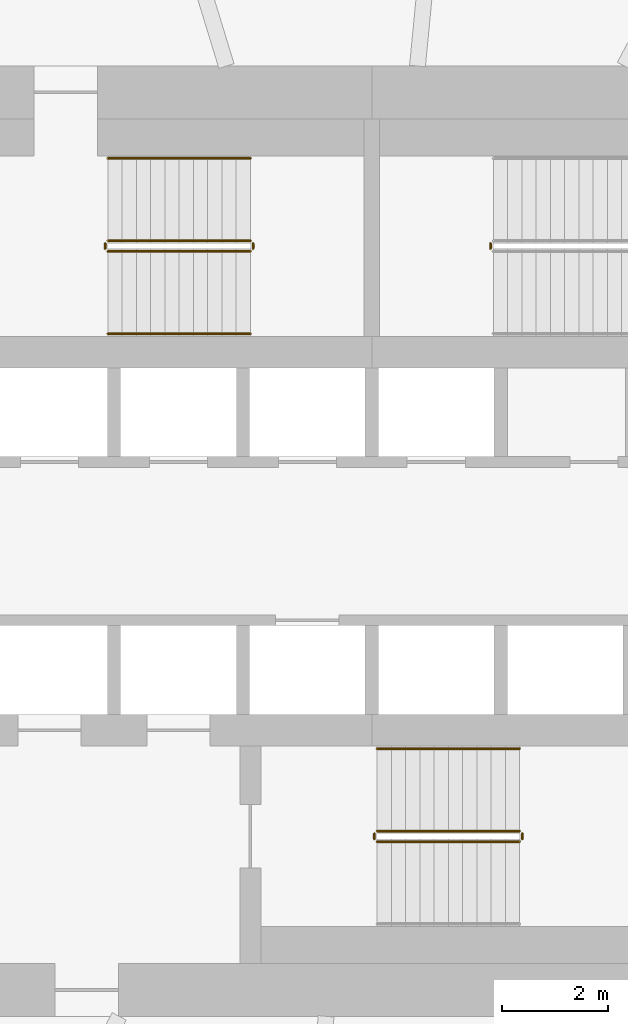
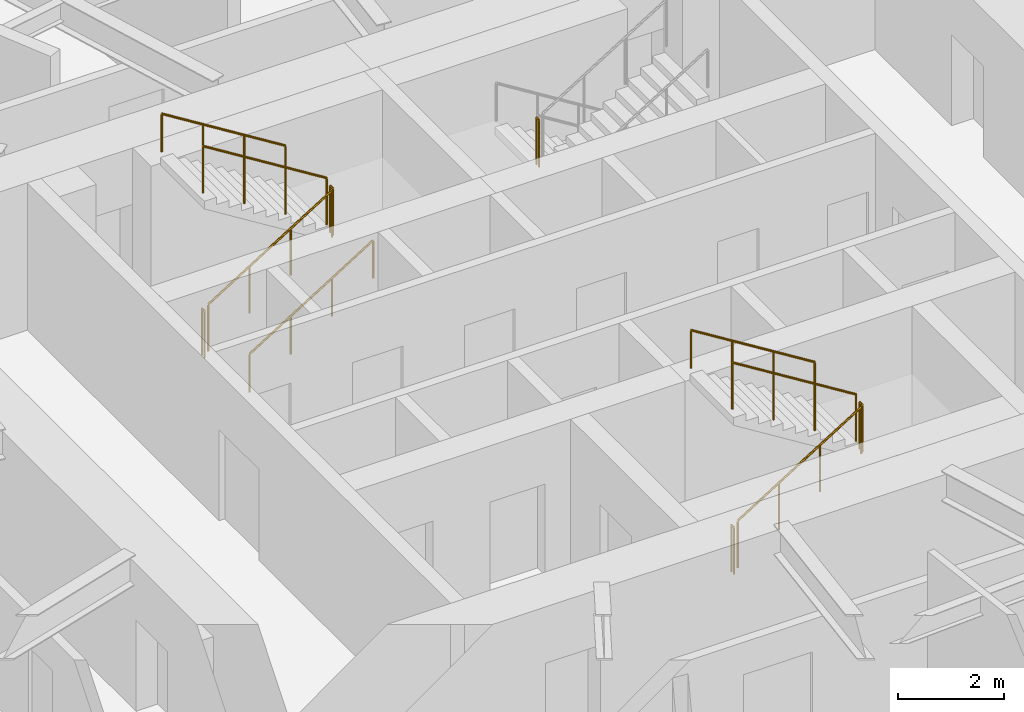
# One storey, part 13 of 16: 12 railings.
"""IFC4 building model written with IfcOpenShell, lengths in metres."""

from ifc_helpers import new_model, si_unit, direction, frame, origin, origin_2d, place, context, subcontext, project, spatial, circle, extrude, material, type_object, element, save


model = new_model("IFC4")

# Units and contexts
model_context = context("Model", 3, precision=1e-05, world=origin(), true_north=direction((0.0, 1.0)))
body_context = subcontext(model_context, "Body", "Model", "MODEL_VIEW")
ifc_project = project(units=[si_unit("LENGTHUNIT", "METRE"), si_unit("AREAUNIT", "SQUARE_METRE"), si_unit("VOLUMEUNIT", "CUBIC_METRE"), si_unit("PLANEANGLEUNIT", "RADIAN"), si_unit("MASSUNIT", "GRAM", prefix="KILO")], contexts=[model_context])

# Site, building, storey
site_placement = place(None, origin())
site = spatial("IfcSite", under=ifc_project, at=site_placement, CompositionType="ELEMENT")
building_placement = place(site_placement, origin())
building = spatial("IfcBuilding", under=site, at=building_placement, Name="Vermilion Reach Broadcast Tower", CompositionType="ELEMENT")
storey_placement = place(building_placement, frame((0.0, 0.0, 58.199951171875)))
storey = spatial("IfcBuildingStorey", under=building, at=storey_placement, Name="L11", CompositionType="ELEMENT", Elevation=58.199951171875)

# Railings
ifc_material_1 = material(Name="Stainless steel", Category="steel")
railing_type_1 = type_object("IfcRailingType", Name="Stair guard 1100", PredefinedType="GUARDRAIL", material=ifc_material_1)
railing_1_placement = place(storey_placement, frame((-11.0, 5.489990234375, 0.168212890625)))
element("IfcRailing", 1, at=railing_1_placement, inside=storey, type_object=railing_type_1, Name="L11 ST1 stair guard 1", PredefinedType="GUARDRAIL", context=body_context, shape_type="SweptSolid", body=[
    extrude(circle(Radius=0.02392578125, at=origin_2d()), frame((0.0, 0.0, 1.076171875), z_axis=(0.848786430784, 0.0, 0.528735846068), x_axis=(0.0, 1.0, 0.0)), (0.0, 0.0, 1.0), 3.180908203125),
    extrude(circle(Radius=0.02099609375, at=origin_2d()), origin(), (0.0, 0.0, 1.0), 1.052001953125),
    extrude(circle(Radius=0.02099609375, at=origin_2d()), frame((0.89990234375, 0.0, 0.560546875)), (0.0, 0.0, 1.0), 1.052001953125),
    extrude(circle(Radius=0.02099609375, at=origin_2d()), frame((1.800048828125, 0.0, 1.121337890625)), (0.0, 0.0, 1.0), 1.052001953125),
    extrude(circle(Radius=0.02099609375, at=origin_2d()), frame((2.699951171875, 0.0, 1.681884765625)), (0.0, 0.0, 1.0), 1.052001953125),
])
railing_2_placement = place(storey_placement, frame((-8.25, 5.5400390625, 1.85009765625)))
element("IfcRailing", 2, at=railing_2_placement, inside=storey, type_object=railing_type_1, Name="L11 ST1 stair guard 2", PredefinedType="GUARDRAIL", context=body_context, shape_type="SweptSolid", body=[
    extrude(circle(Radius=0.02392578125, at=origin_2d()), frame((0.0, 0.0, 1.076171875), z_axis=(0.0, 1.0, 0.0), x_axis=(-1.0, 0.0, 0.0)), (0.0, 0.0, 1.0), 0.099853515625),
    extrude(circle(Radius=0.02099609375, at=origin_2d()), origin(), (0.0, 0.0, 1.0), 1.052001953125),
    extrude(circle(Radius=0.02099609375, at=origin_2d()), frame((0.0, 0.099853515625, 0.0)), (0.0, 0.0, 1.0), 1.052001953125),
])
railing_3_placement = place(storey_placement, frame((-8.300048828125, 5.68994140625, 2.018310546875)))
element("IfcRailing", 3, at=railing_3_placement, inside=storey, type_object=railing_type_1, Name="L11 ST1 stair guard 3", PredefinedType="GUARDRAIL", context=body_context, shape_type="SweptSolid", body=[
    extrude(circle(Radius=0.02392578125, at=origin_2d()), frame((0.0, 0.0, 1.076171875), z_axis=(-0.84882087487, 0.0, 0.528680548522), x_axis=(0.0, -1.0, 0.0)), (0.0, 0.0, 1.0), 3.180908203125),
    extrude(circle(Radius=0.02099609375, at=origin_2d()), origin(), (0.0, 0.0, 1.0), 1.052001953125),
    extrude(circle(Radius=0.02099609375, at=origin_2d()), frame((-0.89990234375, 0.0, 0.560546875)), (0.0, 0.0, 1.0), 1.052001953125),
    extrude(circle(Radius=0.02099609375, at=origin_2d()), frame((-1.800048828125, 0.0, 1.12109375)), (0.0, 0.0, 1.0), 1.052001953125),
    extrude(circle(Radius=0.02099609375, at=origin_2d()), frame((-2.699951171875, 0.0, 1.681640625)), (0.0, 0.0, 1.0), 1.052001953125),
])
railing_4_placement = place(storey_placement, frame((-11.050048828125, 5.5400390625, 0.0)))
element("IfcRailing", 4, at=railing_4_placement, inside=storey, type_object=railing_type_1, Name="L11 ST1 stair guard 4", PredefinedType="GUARDRAIL", context=body_context, shape_type="SweptSolid", body=[
    extrude(circle(Radius=0.02392578125, at=origin_2d()), frame((0.0, 0.0, 1.076171875), z_axis=(0.0, 1.0, 0.0), x_axis=(-1.0, 0.0, 0.0)), (0.0, 0.0, 1.0), 0.099853515625),
    extrude(circle(Radius=0.02099609375, at=origin_2d()), origin(), (0.0, 0.0, 1.0), 1.052001953125),
    extrude(circle(Radius=0.02099609375, at=origin_2d()), frame((0.0, 0.099853515625, 0.0)), (0.0, 0.0, 1.0), 1.052001953125),
])
railing_5_placement = place(storey_placement, frame((-3.75, 5.639892578125, 1.85009765625)))
element("IfcRailing", 5, at=railing_5_placement, inside=storey, type_object=railing_type_1, Name="L11 ST2 stair guard 2", PredefinedType="GUARDRAIL", context=body_context, shape_type="SweptSolid", body=[
    extrude(circle(Radius=0.02392578125, at=origin_2d()), frame((0.0, 0.0, 1.076171875), z_axis=(0.0, -1.0, 0.0), x_axis=(1.0, 0.0, 0.0)), (0.0, 0.0, 1.0), 0.099853515625),
    extrude(circle(Radius=0.02099609375, at=origin_2d()), origin(), (0.0, 0.0, 1.0), 1.052001953125),
    extrude(circle(Radius=0.02099609375, at=origin_2d()), frame((0.0, -0.099853515625, 0.0)), (0.0, 0.0, 1.0), 1.052001953125),
])
railing_6_placement = place(storey_placement, frame((-5.89990234375, -5.68994140625, 0.168212890625)))
element("IfcRailing", 6, at=railing_6_placement, inside=storey, type_object=railing_type_1, Name="L11 ST3 stair guard 1", PredefinedType="GUARDRAIL", context=body_context, shape_type="SweptSolid", body=[
    extrude(circle(Radius=0.02392578125, at=origin_2d()), frame((0.0, 0.0, 1.076171875), z_axis=(0.848786430784, 0.0, 0.528735846068), x_axis=(0.0, 1.0, 0.0)), (0.0, 0.0, 1.0), 3.180908203125),
    extrude(circle(Radius=0.02099609375, at=origin_2d()), origin(), (0.0, 0.0, 1.0), 1.052001953125),
    extrude(circle(Radius=0.02099609375, at=origin_2d()), frame((0.89990234375, 0.0, 0.560546875)), (0.0, 0.0, 1.0), 1.052001953125),
    extrude(circle(Radius=0.02099609375, at=origin_2d()), frame((1.800048828125, 0.0, 1.121337890625)), (0.0, 0.0, 1.0), 1.052001953125),
    extrude(circle(Radius=0.02099609375, at=origin_2d()), frame((2.699951171875, 0.0, 1.681884765625)), (0.0, 0.0, 1.0), 1.052001953125),
])
railing_7_placement = place(storey_placement, frame((-3.14990234375, -5.639892578125, 1.85009765625)))
element("IfcRailing", 7, at=railing_7_placement, inside=storey, type_object=railing_type_1, Name="L11 ST3 stair guard 2", PredefinedType="GUARDRAIL", context=body_context, shape_type="SweptSolid", body=[
    extrude(circle(Radius=0.02392578125, at=origin_2d()), frame((0.0, 0.0, 1.076171875), z_axis=(0.0, 1.0, 0.0), x_axis=(-1.0, 0.0, 0.0)), (0.0, 0.0, 1.0), 0.099853515625),
    extrude(circle(Radius=0.02099609375, at=origin_2d()), origin(), (0.0, 0.0, 1.0), 1.052001953125),
    extrude(circle(Radius=0.02099609375, at=origin_2d()), frame((0.0, 0.099853515625, 0.0)), (0.0, 0.0, 1.0), 1.052001953125),
])
railing_8_placement = place(storey_placement, frame((-3.199951171875, -5.489990234375, 2.018310546875)))
element("IfcRailing", 8, at=railing_8_placement, inside=storey, type_object=railing_type_1, Name="L11 ST3 stair guard 3", PredefinedType="GUARDRAIL", context=body_context, shape_type="SweptSolid", body=[
    extrude(circle(Radius=0.02392578125, at=origin_2d()), frame((0.0, 0.0, 1.076171875), z_axis=(-0.84882087487, 0.0, 0.528680548522), x_axis=(0.0, -1.0, 0.0)), (0.0, 0.0, 1.0), 3.180908203125),
    extrude(circle(Radius=0.02099609375, at=origin_2d()), origin(), (0.0, 0.0, 1.0), 1.052001953125),
    extrude(circle(Radius=0.02099609375, at=origin_2d()), frame((-0.89990234375, 0.0, 0.560546875)), (0.0, 0.0, 1.0), 1.052001953125),
    extrude(circle(Radius=0.02099609375, at=origin_2d()), frame((-1.800048828125, 0.0, 1.12109375)), (0.0, 0.0, 1.0), 1.052001953125),
    extrude(circle(Radius=0.02099609375, at=origin_2d()), frame((-2.699951171875, 0.0, 1.681640625)), (0.0, 0.0, 1.0), 1.052001953125),
])
railing_9_placement = place(storey_placement, frame((-5.949951171875, -5.639892578125, 0.0)))
element("IfcRailing", 9, at=railing_9_placement, inside=storey, type_object=railing_type_1, Name="L11 ST3 stair guard 4", PredefinedType="GUARDRAIL", context=body_context, shape_type="SweptSolid", body=[
    extrude(circle(Radius=0.02392578125, at=origin_2d()), frame((0.0, 0.0, 1.076171875), z_axis=(0.0, 1.0, 0.0), x_axis=(-1.0, 0.0, 0.0)), (0.0, 0.0, 1.0), 0.099853515625),
    extrude(circle(Radius=0.02099609375, at=origin_2d()), origin(), (0.0, 0.0, 1.0), 1.052001953125),
    extrude(circle(Radius=0.02099609375, at=origin_2d()), frame((0.0, 0.099853515625, 0.0)), (0.0, 0.0, 1.0), 1.052001953125),
])
ifc_material_2 = material(Name="Stainless steel", Category="steel")
railing_type_2 = type_object("IfcRailingType", Name="Stair handrail", PredefinedType="HANDRAIL", material=ifc_material_2)
railing_10_placement = place(storey_placement, frame((-11.0, 3.929931640625, 0.168212890625)))
element("IfcRailing", 10, at=railing_10_placement, inside=storey, type_object=railing_type_2, Name="L11 ST1 stair handrail 1", PredefinedType="HANDRAIL", context=body_context, shape_type="SweptSolid", body=[
    extrude(circle(Radius=0.02392578125, at=origin_2d()), frame((0.0, 0.0, 0.8759765625), z_axis=(0.848786430784, 0.0, 0.528735846068), x_axis=(0.0, 1.0, 0.0)), (0.0, 0.0, 1.0), 3.180908203125),
    extrude(circle(Radius=0.02099609375, at=origin_2d()), origin(), (0.0, 0.0, 1.0), 0.851806640625),
    extrude(circle(Radius=0.02099609375, at=origin_2d()), frame((0.89990234375, 0.0, 0.560546875)), (0.0, 0.0, 1.0), 0.851806640625),
    extrude(circle(Radius=0.02099609375, at=origin_2d()), frame((1.800048828125, 0.0, 1.121337890625)), (0.0, 0.0, 1.0), 0.851806640625),
    extrude(circle(Radius=0.02099609375, at=origin_2d()), frame((2.699951171875, 0.0, 1.681884765625)), (0.0, 0.0, 1.0), 0.851806640625),
])
for number, where, name in (
    (11, (-8.300048828125, 7.25, 2.018310546875), "L11 ST1 stair handrail 2"),
    (12, (-3.199951171875, -3.929931640625, 2.018310546875), "L11 ST3 stair handrail 2"),
):
    element("IfcRailing", number, at=place(storey_placement, frame(where)), inside=storey, type_object=railing_type_2, Name=name, PredefinedType="HANDRAIL", context=body_context, shape_type="SweptSolid", body=[
        extrude(circle(Radius=0.02392578125, at=origin_2d()), frame((0.0, 0.0, 0.8759765625), z_axis=(-0.84882087487, 0.0, 0.528680548522), x_axis=(0.0, -1.0, 0.0)), (0.0, 0.0, 1.0), 3.180908203125),
        extrude(circle(Radius=0.02099609375, at=origin_2d()), origin(), (0.0, 0.0, 1.0), 0.851806640625),
        extrude(circle(Radius=0.02099609375, at=origin_2d()), frame((-0.89990234375, 0.0, 0.560546875)), (0.0, 0.0, 1.0), 0.851806640625),
        extrude(circle(Radius=0.02099609375, at=origin_2d()), frame((-1.800048828125, 0.0, 1.12109375)), (0.0, 0.0, 1.0), 0.851806640625),
        extrude(circle(Radius=0.02099609375, at=origin_2d()), frame((-2.699951171875, 0.0, 1.681640625)), (0.0, 0.0, 1.0), 0.851806640625),
    ])

save(model, "model.ifc")
